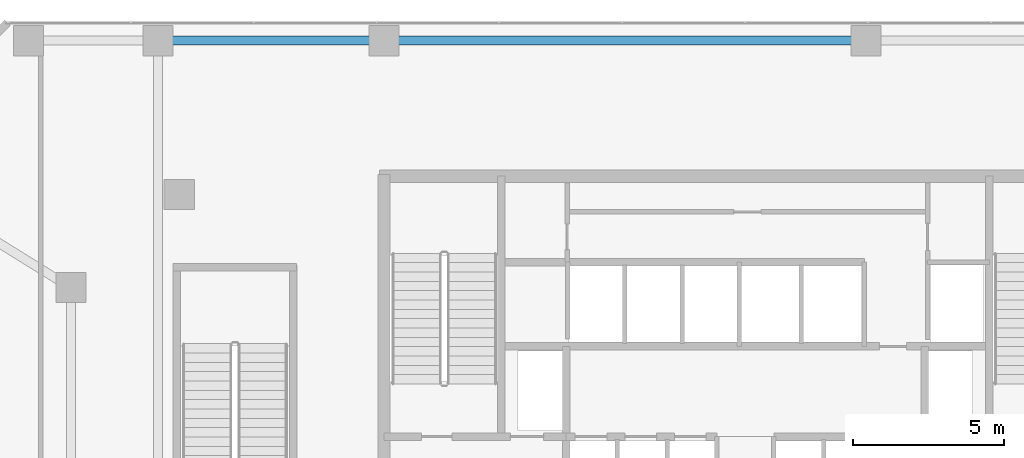
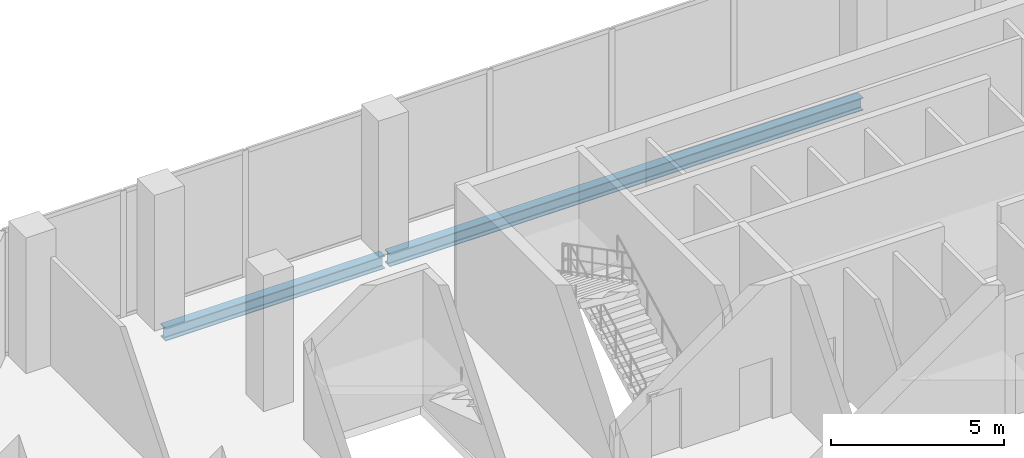
# One storey, part 13 of 24: 2 beams.
"""IFC4 building model written with IfcOpenShell, lengths in metres."""

from ifc_helpers import new_model, si_unit, direction, frame, origin, origin_2d, place, context, subcontext, project, spatial, i_section, extrude, material, material_profile, profile_set, type_object, element, save


model = new_model("IFC4")

# Units and contexts
model_context = context("Model", 3, precision=1e-05, world=origin(), true_north=direction((0.0, 1.0)))
body_context = subcontext(model_context, "Body", "Model", "MODEL_VIEW")
ifc_project = project(units=[si_unit("LENGTHUNIT", "METRE"), si_unit("AREAUNIT", "SQUARE_METRE"), si_unit("VOLUMEUNIT", "CUBIC_METRE"), si_unit("PLANEANGLEUNIT", "RADIAN"), si_unit("MASSUNIT", "GRAM", prefix="KILO")], contexts=[model_context])

# Site, building, storey
site_placement = place(None, origin())
site = spatial("IfcSite", under=ifc_project, at=site_placement, CompositionType="ELEMENT")
building_placement = place(site_placement, origin())
building = spatial("IfcBuilding", under=site, at=building_placement, Name="Catumbela Crestline Tower", CompositionType="ELEMENT")
storey_placement = place(building_placement, frame((0.0, 0.0, 11.1)))
storey = spatial("IfcBuildingStorey", under=building, at=storey_placement, Name="L02", CompositionType="ELEMENT", Elevation=11.1)

# Beams
ifc_material = material(Name="Structural steel S355J2", Category="steel")
ifc_material_profile = material_profile(ifc_material, i_section(OverallWidth=0.3, OverallDepth=0.45, WebThickness=0.014, FlangeThickness=0.026, FilletRadius=0.027, at=origin_2d()), Name="HEB 450")
ifc_profile_set = profile_set([ifc_material_profile], Name="Structural steel S355J2")
beam_type = type_object("IfcBeamType", Name="BS-HEB450", PredefinedType="SPANDREL", material=ifc_profile_set)
beam_1_placement = place(storey_placement, frame((8.58, 47.4, -0.545), z_axis=(1.0, 0.0, 0.0), x_axis=(0.0, 1.0, 0.0)))
element("IfcBeam", 1, at=beam_1_placement, inside=storey, type_object=beam_type, Name="L02 Spandrel SP-L02-NF18", PredefinedType="SPANDREL", context=body_context, shape_type="SweptSolid", body=[
    extrude(i_section(OverallWidth=0.3, OverallDepth=0.45, WebThickness=0.014, FlangeThickness=0.026, FilletRadius=0.027, at=origin_2d()), origin(), (0.0, 0.0, 1.0), 7.34),
])
beam_2_placement = place(storey_placement, frame((16.08, 47.4, -0.545), z_axis=(1.0, 0.0, 0.0), x_axis=(0.0, 1.0, 0.0)))
element("IfcBeam", 2, at=beam_2_placement, inside=storey, type_object=beam_type, Name="L02 Spandrel SP-L02-NF19", PredefinedType="SPANDREL", context=body_context, shape_type="SweptSolid", body=[
    extrude(i_section(OverallWidth=0.3, OverallDepth=0.45, WebThickness=0.014, FlangeThickness=0.026, FilletRadius=0.027, at=origin_2d()), origin(), (0.0, 0.0, 1.0), 15.84),
])

save(model, "model.ifc")
